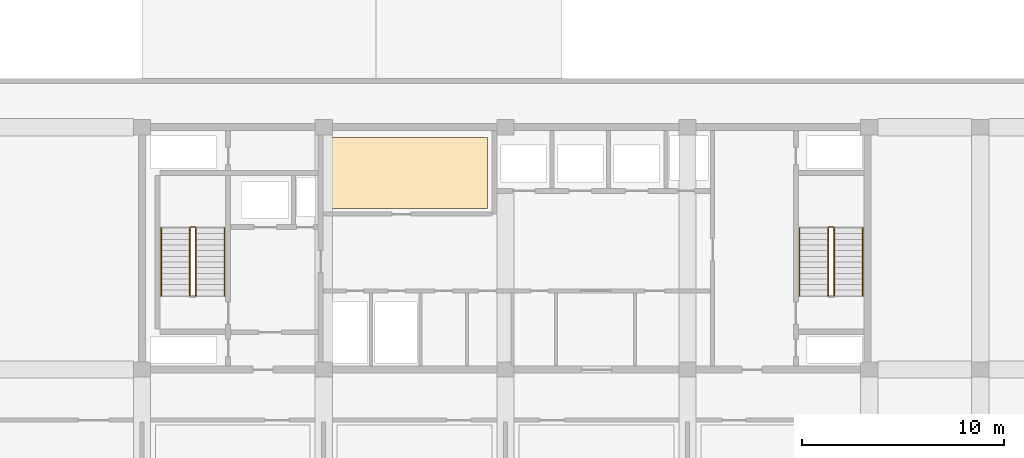
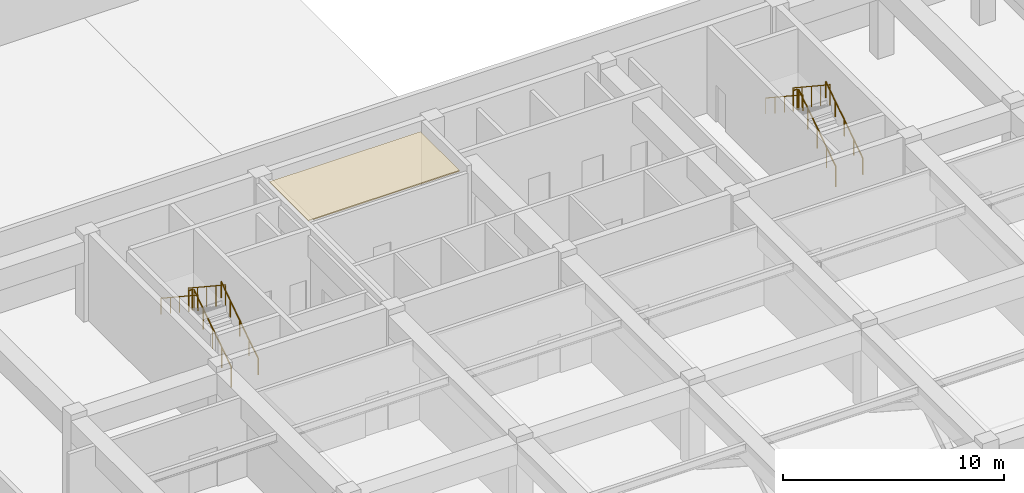
# One storey, part 17 of 22: 10 railings, 1 covering.
"""IFC4 building model written with IfcOpenShell, lengths in metres."""

from ifc_helpers import new_model, si_unit, direction, frame, origin, origin_2d, place, context, subcontext, project, spatial, polyline, circle, outline, extrude, material, layer, layer_set, type_object, element, save


model = new_model("IFC4")

# Units and contexts
model_context = context("Model", 3, precision=1e-05, world=origin(), true_north=direction((0.0, 1.0)))
body_context = subcontext(model_context, "Body", "Model", "MODEL_VIEW")
ifc_project = project(units=[si_unit("LENGTHUNIT", "METRE"), si_unit("AREAUNIT", "SQUARE_METRE"), si_unit("VOLUMEUNIT", "CUBIC_METRE"), si_unit("PLANEANGLEUNIT", "RADIAN"), si_unit("MASSUNIT", "GRAM", prefix="KILO")], contexts=[model_context])

# Site, building, storey
site_placement = place(None, origin())
site = spatial("IfcSite", under=ifc_project, at=site_placement, CompositionType="ELEMENT")
building_placement = place(site_placement, origin())
building = spatial("IfcBuilding", under=site, at=building_placement, Name="Korimba Cascade Residences", CompositionType="ELEMENT")
storey_placement = place(building_placement, frame((0.0, 0.0, 157.300048828125)))
storey = spatial("IfcBuildingStorey", under=building, at=storey_placement, Name="L45", CompositionType="ELEMENT", Elevation=157.300048828125)

# Covering
ifc_material_1 = material(Name="Mineral Wool Thermal Acoustic Insulation", Category="insulation")
ifc_layer = layer(ifc_material_1, 0.06005859375)
ifc_layer_set = layer_set([ifc_layer], Name="Mineral Wool Thermal Acoustic Insulation")
covering_type = type_object("IfcCoveringType", Name="COV-INS-60", PredefinedType="INSULATION", material=ifc_layer_set)
covering_placement = place(storey_placement, frame((0.0, 0.0, 4.419921875)))
element("IfcCovering", 1, at=covering_placement, inside=storey, type_object=covering_type, Name="L45 Mineral Wool Acoustic Soffit Insulation L45-SR2", PredefinedType="INSULATION", context=body_context, shape_type="SweptSolid", body=[
    extrude(outline(polyline([(91.300048828125, 26.3701171875), (99.199951171875, 26.3701171875), (99.199951171875, 29.89990234375), (91.300048828125, 29.89990234375), (91.300048828125, 26.3701171875)])), origin(), (0.0, 0.0, 1.0), 0.06005859375),
])

# Railings
ifc_material_2 = material(Name="Painted Steel Stairwell Guardrail", Category="steel")
railing_type_1 = type_object("IfcRailingType", Name="RLG-ST-GD1150", PredefinedType="GUARDRAIL", material=ifc_material_2)
railing_1_placement = place(storey_placement, frame((84.77001953125, 22.050048828125, 0.1845703125)))
element("IfcRailing", 2, at=railing_1_placement, inside=storey, type_object=railing_type_1, Name="L45 ST-E1 stair guard 1", PredefinedType="GUARDRAIL", context=body_context, shape_type="SweptSolid", body=[
    extrude(circle(Radius=0.02392578125, at=origin_2d()), frame((0.0, 0.0, 1.1259765625), z_axis=(0.0, 0.834858096282, 0.550465220583), x_axis=(-1.0, 0.0, 0.0)), (0.0, 0.0, 1.0), 4.0244140625),
    extrude(circle(Radius=0.02099609375, at=origin_2d()), origin(), (0.0, 0.0, 1.0), 1.101806640625),
    extrude(circle(Radius=0.02099609375, at=origin_2d()), frame((0.0, 0.83984375, 0.5537109375)), (0.0, 0.0, 1.0), 1.101806640625),
    extrude(circle(Radius=0.02099609375, at=origin_2d()), frame((0.0, 1.679931640625, 1.107666015625)), (0.0, 0.0, 1.0), 1.101806640625),
    extrude(circle(Radius=0.02099609375, at=origin_2d()), frame((0.0, 2.52001953125, 1.66162109375)), (0.0, 0.0, 1.0), 1.101806640625),
    extrude(circle(Radius=0.02099609375, at=origin_2d()), frame((0.0, 3.35986328125, 2.21533203125)), (0.0, 0.0, 1.0), 1.101806640625),
])
railing_2_placement = place(storey_placement, frame((84.719970703125, 25.4599609375, 2.39990234375)))
element("IfcRailing", 3, at=railing_2_placement, inside=storey, type_object=railing_type_1, Name="L45 ST-E1 stair guard 2", PredefinedType="GUARDRAIL", context=body_context, shape_type="SweptSolid", body=[
    extrude(circle(Radius=0.02392578125, at=origin_2d()), frame((0.0, 0.0, 1.1259765625), z_axis=(-1.0, 0.0, 0.0), x_axis=(0.0, -1.0, 0.0)), (0.0, 0.0, 1.0), 0.199951171875),
    extrude(circle(Radius=0.02099609375, at=origin_2d()), origin(), (0.0, 0.0, 1.0), 1.101806640625),
    extrude(circle(Radius=0.02099609375, at=origin_2d()), frame((-0.199951171875, 0.0, 0.0)), (0.0, 0.0, 1.0), 1.101806640625),
])
railing_3_placement = place(storey_placement, frame((84.469970703125, 25.409912109375, 2.58447265625)))
element("IfcRailing", 4, at=railing_3_placement, inside=storey, type_object=railing_type_1, Name="L45 ST-E1 stair guard 3", PredefinedType="GUARDRAIL", context=body_context, shape_type="SweptSolid", body=[
    extrude(circle(Radius=0.02392578125, at=origin_2d()), frame((0.0, 0.0, 1.1259765625), z_axis=(0.0, -0.83483021737, 0.550507500554), x_axis=(1.0, 0.0, 0.0)), (0.0, 0.0, 1.0), 4.024658203125),
    extrude(circle(Radius=0.02099609375, at=origin_2d()), origin(), (0.0, 0.0, 1.0), 1.101806640625),
    extrude(circle(Radius=0.02099609375, at=origin_2d()), frame((0.0, -0.83984375, 0.553955078125)), (0.0, 0.0, 1.0), 1.101806640625),
    extrude(circle(Radius=0.02099609375, at=origin_2d()), frame((0.0, -1.679931640625, 1.10791015625)), (0.0, 0.0, 1.0), 1.101806640625),
    extrude(circle(Radius=0.02099609375, at=origin_2d()), frame((0.0, -2.52001953125, 1.66162109375)), (0.0, 0.0, 1.0), 1.101806640625),
    extrude(circle(Radius=0.02099609375, at=origin_2d()), frame((0.0, -3.35986328125, 2.215576171875)), (0.0, 0.0, 1.0), 1.101806640625),
])
railing_4_placement = place(storey_placement, frame((116.3701171875, 22.050048828125, 0.1845703125)))
element("IfcRailing", 5, at=railing_4_placement, inside=storey, type_object=railing_type_1, Name="L45 ST-E2 stair guard 1", PredefinedType="GUARDRAIL", context=body_context, shape_type="SweptSolid", body=[
    extrude(circle(Radius=0.02392578125, at=origin_2d()), frame((0.0, 0.0, 1.1259765625), z_axis=(0.0, 0.834858096282, 0.550465220583), x_axis=(-1.0, 0.0, 0.0)), (0.0, 0.0, 1.0), 4.0244140625),
    extrude(circle(Radius=0.02099609375, at=origin_2d()), origin(), (0.0, 0.0, 1.0), 1.101806640625),
    extrude(circle(Radius=0.02099609375, at=origin_2d()), frame((0.0, 0.83984375, 0.5537109375)), (0.0, 0.0, 1.0), 1.101806640625),
    extrude(circle(Radius=0.02099609375, at=origin_2d()), frame((0.0, 1.679931640625, 1.107666015625)), (0.0, 0.0, 1.0), 1.101806640625),
    extrude(circle(Radius=0.02099609375, at=origin_2d()), frame((0.0, 2.52001953125, 1.66162109375)), (0.0, 0.0, 1.0), 1.101806640625),
    extrude(circle(Radius=0.02099609375, at=origin_2d()), frame((0.0, 3.35986328125, 2.21533203125)), (0.0, 0.0, 1.0), 1.101806640625),
])
railing_5_placement = place(storey_placement, frame((116.320068359375, 25.4599609375, 2.39990234375)))
element("IfcRailing", 6, at=railing_5_placement, inside=storey, type_object=railing_type_1, Name="L45 ST-E2 stair guard 2", PredefinedType="GUARDRAIL", context=body_context, shape_type="SweptSolid", body=[
    extrude(circle(Radius=0.02392578125, at=origin_2d()), frame((0.0, 0.0, 1.1259765625), z_axis=(-1.0, 0.0, 0.0), x_axis=(0.0, -1.0, 0.0)), (0.0, 0.0, 1.0), 0.199951171875),
    extrude(circle(Radius=0.02099609375, at=origin_2d()), origin(), (0.0, 0.0, 1.0), 1.101806640625),
    extrude(circle(Radius=0.02099609375, at=origin_2d()), frame((-0.199951171875, 0.0, 0.0)), (0.0, 0.0, 1.0), 1.101806640625),
])
railing_6_placement = place(storey_placement, frame((116.070068359375, 25.409912109375, 2.58447265625)))
element("IfcRailing", 7, at=railing_6_placement, inside=storey, type_object=railing_type_1, Name="L45 ST-E2 stair guard 3", PredefinedType="GUARDRAIL", context=body_context, shape_type="SweptSolid", body=[
    extrude(circle(Radius=0.02392578125, at=origin_2d()), frame((0.0, 0.0, 1.1259765625), z_axis=(0.0, -0.83483021737, 0.550507500554), x_axis=(1.0, 0.0, 0.0)), (0.0, 0.0, 1.0), 4.024658203125),
    extrude(circle(Radius=0.02099609375, at=origin_2d()), origin(), (0.0, 0.0, 1.0), 1.101806640625),
    extrude(circle(Radius=0.02099609375, at=origin_2d()), frame((0.0, -0.83984375, 0.553955078125)), (0.0, 0.0, 1.0), 1.101806640625),
    extrude(circle(Radius=0.02099609375, at=origin_2d()), frame((0.0, -1.679931640625, 1.10791015625)), (0.0, 0.0, 1.0), 1.101806640625),
    extrude(circle(Radius=0.02099609375, at=origin_2d()), frame((0.0, -2.52001953125, 1.66162109375)), (0.0, 0.0, 1.0), 1.101806640625),
    extrude(circle(Radius=0.02099609375, at=origin_2d()), frame((0.0, -3.35986328125, 2.215576171875)), (0.0, 0.0, 1.0), 1.101806640625),
])
ifc_material_3 = material(Name="Brushed Stainless Steel Handrail", Category="steel")
railing_type_2 = type_object("IfcRailingType", Name="RLG-ST-HR900", PredefinedType="HANDRAIL", material=ifc_material_3)
railing_7_placement = place(storey_placement, frame((86.18994140625, 22.050048828125, 0.373046875)))
element("IfcRailing", 8, at=railing_7_placement, inside=storey, type_object=railing_type_2, Name="L45 ST-E1 stair handrail 1", PredefinedType="HANDRAIL", context=body_context, shape_type="SweptSolid", body=[
    extrude(circle(Radius=0.02392578125, at=origin_2d()), frame((0.0, 0.0, 0.8759765625), z_axis=(0.0, 0.83483021737, 0.550507500554), x_axis=(-1.0, 0.0, 0.0)), (0.0, 0.0, 1.0), 4.024658203125),
    extrude(circle(Radius=0.02099609375, at=origin_2d()), origin(), (0.0, 0.0, 1.0), 0.851806640625),
    extrude(circle(Radius=0.02099609375, at=origin_2d()), frame((0.0, 0.83984375, 0.553955078125)), (0.0, 0.0, 1.0), 0.851806640625),
    extrude(circle(Radius=0.02099609375, at=origin_2d()), frame((0.0, 1.679931640625, 1.10791015625)), (0.0, 0.0, 1.0), 0.851806640625),
    extrude(circle(Radius=0.02099609375, at=origin_2d()), frame((0.0, 2.52001953125, 1.66162109375)), (0.0, 0.0, 1.0), 0.851806640625),
    extrude(circle(Radius=0.02099609375, at=origin_2d()), frame((0.0, 3.35986328125, 2.215576171875)), (0.0, 0.0, 1.0), 0.851806640625),
])
railing_8_placement = place(storey_placement, frame((83.050048828125, 25.409912109375, 2.773193359375)))
element("IfcRailing", 9, at=railing_8_placement, inside=storey, type_object=railing_type_2, Name="L45 ST-E1 stair handrail 2", PredefinedType="HANDRAIL", context=body_context, shape_type="SweptSolid", body=[
    extrude(circle(Radius=0.02392578125, at=origin_2d()), frame((0.0, 0.0, 0.8759765625), z_axis=(0.0, -0.834858096282, 0.550465220583), x_axis=(1.0, 0.0, 0.0)), (0.0, 0.0, 1.0), 4.0244140625),
    extrude(circle(Radius=0.02099609375, at=origin_2d()), origin(), (0.0, 0.0, 1.0), 0.851806640625),
    extrude(circle(Radius=0.02099609375, at=origin_2d()), frame((0.0, -0.83984375, 0.5537109375)), (0.0, 0.0, 1.0), 0.851806640625),
    extrude(circle(Radius=0.02099609375, at=origin_2d()), frame((0.0, -1.679931640625, 1.107666015625)), (0.0, 0.0, 1.0), 0.851806640625),
    extrude(circle(Radius=0.02099609375, at=origin_2d()), frame((0.0, -2.52001953125, 1.66162109375)), (0.0, 0.0, 1.0), 0.851806640625),
    extrude(circle(Radius=0.02099609375, at=origin_2d()), frame((0.0, -3.35986328125, 2.21533203125)), (0.0, 0.0, 1.0), 0.851806640625),
])
railing_9_placement = place(storey_placement, frame((117.7900390625, 22.050048828125, 0.373046875)))
element("IfcRailing", 10, at=railing_9_placement, inside=storey, type_object=railing_type_2, Name="L45 ST-E2 stair handrail 1", PredefinedType="HANDRAIL", context=body_context, shape_type="SweptSolid", body=[
    extrude(circle(Radius=0.02392578125, at=origin_2d()), frame((0.0, 0.0, 0.8759765625), z_axis=(0.0, 0.83483021737, 0.550507500554), x_axis=(-1.0, 0.0, 0.0)), (0.0, 0.0, 1.0), 4.024658203125),
    extrude(circle(Radius=0.02099609375, at=origin_2d()), origin(), (0.0, 0.0, 1.0), 0.851806640625),
    extrude(circle(Radius=0.02099609375, at=origin_2d()), frame((0.0, 0.83984375, 0.553955078125)), (0.0, 0.0, 1.0), 0.851806640625),
    extrude(circle(Radius=0.02099609375, at=origin_2d()), frame((0.0, 1.679931640625, 1.10791015625)), (0.0, 0.0, 1.0), 0.851806640625),
    extrude(circle(Radius=0.02099609375, at=origin_2d()), frame((0.0, 2.52001953125, 1.66162109375)), (0.0, 0.0, 1.0), 0.851806640625),
    extrude(circle(Radius=0.02099609375, at=origin_2d()), frame((0.0, 3.35986328125, 2.215576171875)), (0.0, 0.0, 1.0), 0.851806640625),
])
railing_10_placement = place(storey_placement, frame((114.64990234375, 25.409912109375, 2.773193359375)))
element("IfcRailing", 11, at=railing_10_placement, inside=storey, type_object=railing_type_2, Name="L45 ST-E2 stair handrail 2", PredefinedType="HANDRAIL", context=body_context, shape_type="SweptSolid", body=[
    extrude(circle(Radius=0.02392578125, at=origin_2d()), frame((0.0, 0.0, 0.8759765625), z_axis=(0.0, -0.834858096282, 0.550465220583), x_axis=(1.0, 0.0, 0.0)), (0.0, 0.0, 1.0), 4.0244140625),
    extrude(circle(Radius=0.02099609375, at=origin_2d()), origin(), (0.0, 0.0, 1.0), 0.851806640625),
    extrude(circle(Radius=0.02099609375, at=origin_2d()), frame((0.0, -0.83984375, 0.5537109375)), (0.0, 0.0, 1.0), 0.851806640625),
    extrude(circle(Radius=0.02099609375, at=origin_2d()), frame((0.0, -1.679931640625, 1.107666015625)), (0.0, 0.0, 1.0), 0.851806640625),
    extrude(circle(Radius=0.02099609375, at=origin_2d()), frame((0.0, -2.52001953125, 1.66162109375)), (0.0, 0.0, 1.0), 0.851806640625),
    extrude(circle(Radius=0.02099609375, at=origin_2d()), frame((0.0, -3.35986328125, 2.21533203125)), (0.0, 0.0, 1.0), 0.851806640625),
])

save(model, "model.ifc")
